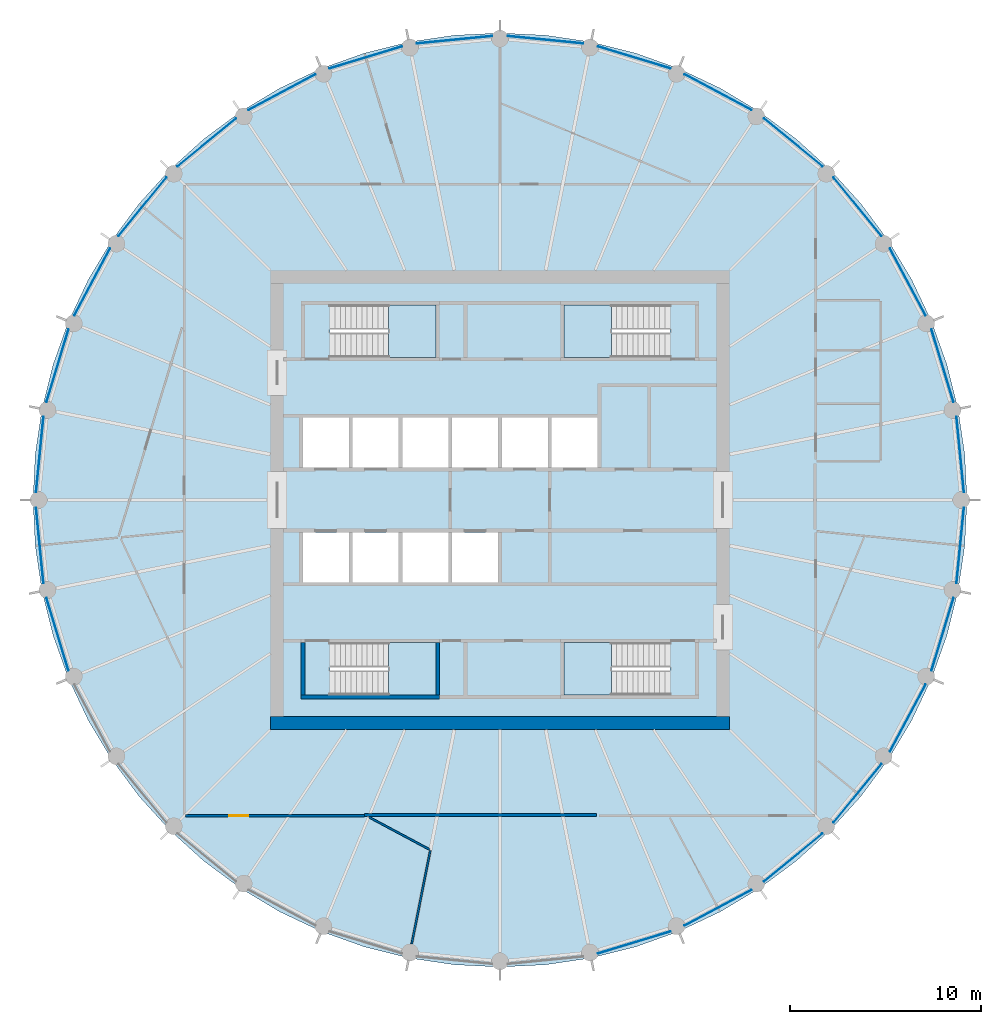
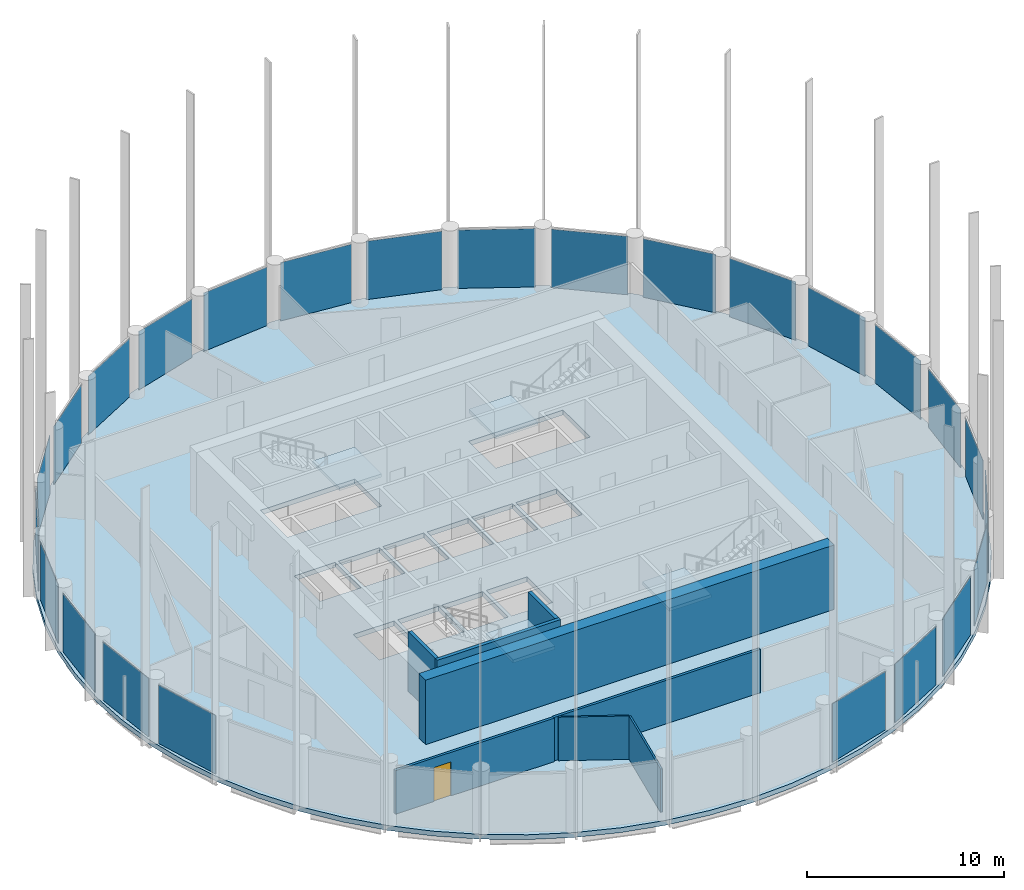
# One storey, part 3 of 7: 25 plates, 8 walls, 5 slabs, 1 door, 1 opening, 29 elements without a shape of their own.
"""IFC4 building model written with IfcOpenShell, lengths in metres."""

import ifcopenshell
import ifcopenshell.guid

model = None  # the IFC model being written
_history = None  # IfcOwnerHistory: only IFC2X3 demands one
_inside = {}  # id of a spatial element -> (the spatial element, [elements in it])
_under = {}  # id of a project, library or spatial element -> (it, [spatial elements below it])
_declared = {}  # id of a project -> (the project, [libraries it declares])
_typed = {}  # id of a type object -> (the type object, [elements of that type])
_made_of = {}  # id of a material, layer set ... -> (it, [elements and type objects made of it])


def new_model(schema):
    """Start an empty IFC model of exactly this schema.

    Asked for "IFC4X3", IfcOpenShell would pick the latest addendum, in which some entities
    have other attributes; the version numbers below select the first issue.
    IFC2X3 requires an IfcOwnerHistory on every rooted entity: one is made here for all.
    """
    global model, _history
    if schema == "IFC4X3":
        model = ifcopenshell.file(schema_version=(4, 3, 0, 0))
    else:
        model = ifcopenshell.file(schema=schema)
    _inside.clear()
    _under.clear()
    _declared.clear()
    _typed.clear()
    _made_of.clear()
    _history = None
    if model.schema == "IFC2X3":
        org = make("IfcOrganization", Name="unknown")
        user = make(
            "IfcPersonAndOrganization",
            ThePerson=make("IfcPerson", FamilyName="unknown"),
            TheOrganization=org,
        )
        app = make(
            "IfcApplication",
            ApplicationDeveloper=org,
            Version="unknown",
            ApplicationFullName="unknown",
            ApplicationIdentifier="unknown",
        )
        _history = make(
            "IfcOwnerHistory",
            OwningUser=user,
            OwningApplication=app,
            ChangeAction="ADDED",
            CreationDate=0,
        )
    return model


def make(cls, **values):
    """One entity of the class cls with the attributes given. An attribute that is None is left unset."""
    return model.create_entity(
        cls, **{name: value for name, value in values.items() if value is not None}
    )


def rooted(cls, **values):
    """An entity with a GlobalId (a new one), such as an element, a storey or a relation."""
    return make(cls, GlobalId=ifcopenshell.guid.new(), OwnerHistory=_history, **values)


def si_unit(unit_type, name, prefix=None):
    """IfcSIUnit, for example si_unit("LENGTHUNIT", "METRE", prefix="MILLI")."""
    return make("IfcSIUnit", UnitType=unit_type, Prefix=prefix, Name=name)


def assignment(units):
    """IfcUnitAssignment: the units of a project."""
    return None if units is None else make("IfcUnitAssignment", Units=units)


def point(xyz):
    """IfcCartesianPoint."""
    return None if xyz is None else make("IfcCartesianPoint", Coordinates=xyz)


def direction(xyz):
    """IfcDirection."""
    return None if xyz is None else make("IfcDirection", DirectionRatios=xyz)


def frame(location, z_axis=None, x_axis=None):
    """IfcAxis2Placement3D, a coordinate frame: its origin and axes. An axis left out is left unset."""
    return make(
        "IfcAxis2Placement3D",
        Location=point(location),
        Axis=direction(z_axis),
        RefDirection=direction(x_axis),
    )


def frame_2d(location, x_axis=None):
    """IfcAxis2Placement2D, a coordinate frame in the plane: its origin and x axis."""
    return make(
        "IfcAxis2Placement2D", Location=point(location), RefDirection=direction(x_axis)
    )


def origin():
    """The frame at (0, 0, 0) with its axes left unset."""
    return frame((0.0, 0.0, 0.0))


def origin_2d():
    """The frame at (0, 0) in the plane with its x axis left unset."""
    return frame_2d((0.0, 0.0))


def place(relative_to, where):
    """IfcLocalPlacement: puts the frame where relative to a parent placement (None: the world)."""
    return make(
        "IfcLocalPlacement", PlacementRelTo=relative_to, RelativePlacement=where
    )


def context(
    kind, dimensions, precision=None, world=None, true_north=None, identifier=None
):
    """IfcGeometricRepresentationContext, for example the 3D "Model" context."""
    return make(
        "IfcGeometricRepresentationContext",
        ContextIdentifier=identifier,
        ContextType=kind,
        CoordinateSpaceDimension=dimensions,
        Precision=precision,
        WorldCoordinateSystem=world,
        TrueNorth=true_north,
    )


def subcontext(parent, identifier, kind, view, scale=None):
    """IfcGeometricRepresentationSubContext, for example "Body" below "Model"."""
    return make(
        "IfcGeometricRepresentationSubContext",
        ContextIdentifier=identifier,
        ContextType=kind,
        ParentContext=parent,
        TargetScale=scale,
        TargetView=view,
    )


def project(units=None, contexts=None):
    """IfcProject with its units and contexts."""
    return rooted(
        "IfcProject",
        Name="project",
        RepresentationContexts=contexts,
        UnitsInContext=assignment(units),
    )


def spatial(cls, under=None, at=None, **own):
    """A site, building, storey or space (cls), placed at a placement, below another one or the project."""
    s = rooted(cls, ObjectPlacement=at, **own)
    if under is not None:
        _under.setdefault(under.id(), (under, []))[1].append(s)
    return s


def polyline(points):
    """IfcPolyline through the points."""
    return make("IfcPolyline", Points=[point(p) for p in points])


def profile(cls, at=None, kind="AREA", **sizes):
    """A parametric profile (cls). Its sizes go by their IFC names, for example OverallWidth=200.0."""
    return make(cls, ProfileType=kind, Position=at, **sizes)


def rectangle(**sizes):
    """IfcRectangleProfileDef."""
    return profile("IfcRectangleProfileDef", **sizes)


def outline(outer, holes=None, kind="AREA"):
    """IfcArbitraryClosedProfileDef: a profile drawn as a closed curve; with holes, ...WithVoids."""
    if holes is None:
        return make("IfcArbitraryClosedProfileDef", ProfileType=kind, OuterCurve=outer)
    return make(
        "IfcArbitraryProfileDefWithVoids",
        ProfileType=kind,
        OuterCurve=outer,
        InnerCurves=holes,
    )


def extrude(swept, where, along, depth):
    """IfcExtrudedAreaSolid: the profile swept, set in the frame where, extruded along a direction by depth."""
    return make(
        "IfcExtrudedAreaSolid",
        SweptArea=swept,
        Position=where,
        ExtrudedDirection=direction(along),
        Depth=depth,
    )


def shape(context_of_items, identifier, shape_type, items):
    """IfcShapeRepresentation: the items that make up one representation, for example the "Body"."""
    return make(
        "IfcShapeRepresentation",
        ContextOfItems=context_of_items,
        RepresentationIdentifier=identifier,
        RepresentationType=shape_type,
        Items=items,
    )


def material(Name=None, Category=None):
    """IfcMaterial."""
    return make("IfcMaterial", Name=Name, Category=Category)


def layer(
    of_material, thickness, ventilated=None, Name=None, Category=None, Priority=None
):
    """IfcMaterialLayer: one layer of a wall or slab, of a material (None: an air gap)."""
    return make(
        "IfcMaterialLayer",
        Material=of_material,
        LayerThickness=thickness,
        IsVentilated=ventilated,
        Name=Name,
        Category=Category,
        Priority=Priority,
    )


def layer_set(layers, Name=None):
    """IfcMaterialLayerSet."""
    return make("IfcMaterialLayerSet", MaterialLayers=layers, LayerSetName=Name)


def made_of(thing, what):
    """Note that an element or type object is made of a material, layer set ...; save() writes the relation."""
    if what is not None:
        _made_of.setdefault(what.id(), (what, []))[1].append(thing)
    return thing


def type_object(cls, material=None, **own):
    """A type object (cls), such as IfcWallType, which elements share."""
    return made_of(rooted(cls, **own), material)


def element(
    cls,
    number,
    at=None,
    inside=None,
    cuts=None,
    type_object=None,
    material=None,
    context=None,
    identifier="Body",
    shape_type=None,
    held_by="IfcProductDefinitionShape",
    body=None,
    shapes=None,
    **own,
):
    """One element of the class cls, such as IfcWall. Its Tag is "e" and its number.

    at: its placement. inside: the storey or other place that contains it. cuts: it is an
    opening in that element (IfcRelVoidsElement). A single representation is given by context,
    identifier, shape_type and body (its items); several are given by shapes. held_by: the class
    of the entity that holds the representations. save() writes the other relations.
    """
    e = rooted(cls, Tag="e%d" % number, ObjectPlacement=at, **own)
    if body is not None:
        shapes = [shape(context, identifier, shape_type, body)]
    if shapes is not None:
        e.Representation = make(held_by, Representations=shapes)
    if inside is not None:
        _inside.setdefault(inside.id(), (inside, []))[1].append(e)
    if cuts is not None:
        rooted(
            "IfcRelVoidsElement", RelatingBuildingElement=cuts, RelatedOpeningElement=e
        )
    if type_object is not None:
        _typed.setdefault(type_object.id(), (type_object, []))[1].append(e)
    return made_of(e, material)


def fill(opening, filler):
    """IfcRelFillsElement: the door or window that sits in an opening."""
    return rooted(
        "IfcRelFillsElement",
        RelatingOpeningElement=opening,
        RelatedBuildingElement=filler,
    )


def aggregate(whole, parts):
    """IfcRelAggregates: a whole, such as a stair, and the parts it consists of."""
    return rooted("IfcRelAggregates", RelatingObject=whole, RelatedObjects=parts)


def save(model, path):
    """Write the relations noted so far, then the file.

    IfcRelAggregates (storeys below a building ...), IfcRelContainedInSpatialStructure (elements
    in a storey), IfcRelDefinesByType, IfcRelAssociatesMaterial and IfcRelDeclares: one each for
    every whole, place, type object, material and project.
    """
    for whole, parts in _under.values():
        aggregate(whole, parts)
    for where, things in _inside.values():
        rooted(
            "IfcRelContainedInSpatialStructure",
            RelatedElements=things,
            RelatingStructure=where,
        )
    for kind, things in _typed.values():
        rooted("IfcRelDefinesByType", RelatedObjects=things, RelatingType=kind)
    for what, things in _made_of.values():
        rooted("IfcRelAssociatesMaterial", RelatedObjects=things, RelatingMaterial=what)
    for by, libraries in _declared.values():
        rooted("IfcRelDeclares", RelatingContext=by, RelatedDefinitions=libraries)
    model.write(path)


model = new_model("IFC4")

# Units and contexts
model_context = context("Model", 3, precision=1e-05, world=origin(), true_north=direction((0.0, 1.0)))
body_context = subcontext(model_context, "Body", "Model", "MODEL_VIEW")
ifc_project = project(units=[si_unit("LENGTHUNIT", "METRE"), si_unit("AREAUNIT", "SQUARE_METRE"), si_unit("VOLUMEUNIT", "CUBIC_METRE"), si_unit("PLANEANGLEUNIT", "RADIAN"), si_unit("MASSUNIT", "GRAM", prefix="KILO")], contexts=[model_context])

# Site, building, storey
site_placement = place(None, origin())
site = spatial("IfcSite", under=ifc_project, at=site_placement, CompositionType="ELEMENT")
building_placement = place(site_placement, origin())
building = spatial("IfcBuilding", under=site, at=building_placement, Name="Corvane Civic Tower", CompositionType="ELEMENT")
storey_placement = place(building_placement, frame((0.0, 0.0, 279.0)))
storey = spatial("IfcBuildingStorey", under=building, at=storey_placement, Name="L66", CompositionType="ELEMENT", Elevation=279.0)

# Slab
ifc_material_1 = material(Name="Concrete C40/50", Category="concrete")
ifc_layer_1 = layer(ifc_material_1, 0.300048828125)
ifc_layer_set_1 = layer_set([ifc_layer_1], Name="Concrete C40/50")
slab_type_1 = type_object("IfcSlabType", Name="FLOOR SLAB 300", PredefinedType="FLOOR", material=ifc_layer_set_1)
slab_1_placement = place(storey_placement, frame((0.0, 0.0, -0.300048828125)))
element("IfcSlab", 1, at=slab_1_placement, inside=storey, type_object=slab_type_1, Name="SLB-L66", PredefinedType="FLOOR", context=body_context, shape_type="SweptSolid", body=[
    extrude(outline(polyline([(0.0, 24.39990234375), (-2.3916015625, 24.282470703125), (-4.76025390625, 23.93115234375), (-7.0830078125, 23.349365234375), (-9.33740234375, 22.542724609375), (-11.502197265625, 21.518798828125), (-13.555908203125, 20.287841796875), (-15.479248046875, 18.861572265625), (-17.25341796875, 17.25341796875), (-18.861572265625, 15.479248046875), (-20.287841796875, 13.555908203125), (-21.518798828125, 11.502197265625), (-22.542724609375, 9.33740234375), (-23.349365234375, 7.0830078125), (-23.93115234375, 4.76025390625), (-24.282470703125, 2.3916015625), (-24.39990234375, 0.0), (-24.282470703125, -2.3916015625), (-23.93115234375, -4.76025390625), (-23.349365234375, -7.0830078125), (-22.542724609375, -9.33740234375), (-21.518798828125, -11.502197265625), (-20.287841796875, -13.555908203125), (-18.861572265625, -15.479248046875), (-17.25341796875, -17.25341796875), (-15.479248046875, -18.861572265625), (-13.555908203125, -20.287841796875), (-11.502197265625, -21.518798828125), (-9.33740234375, -22.542724609375), (-7.0830078125, -23.349365234375), (-4.76025390625, -23.93115234375), (-2.3916015625, -24.282470703125), (0.0, -24.39990234375), (2.3916015625, -24.282470703125), (4.76025390625, -23.93115234375), (7.0830078125, -23.349365234375), (9.33740234375, -22.542724609375), (11.502197265625, -21.518798828125), (13.555908203125, -20.287841796875), (15.479248046875, -18.861572265625), (17.25341796875, -17.25341796875), (18.861572265625, -15.479248046875), (20.287841796875, -13.555908203125), (21.518798828125, -11.502197265625), (22.542724609375, -9.33740234375), (23.349365234375, -7.0830078125), (23.93115234375, -4.76025390625), (24.282470703125, -2.3916015625), (24.39990234375, 0.0), (24.282470703125, 2.3916015625), (23.93115234375, 4.76025390625), (23.349365234375, 7.0830078125), (22.542724609375, 9.33740234375), (21.518798828125, 11.502197265625), (20.287841796875, 13.555908203125), (18.861572265625, 15.479248046875), (17.25341796875, 17.25341796875), (15.479248046875, 18.861572265625), (13.555908203125, 20.287841796875), (11.502197265625, 21.518798828125), (9.33740234375, 22.542724609375), (7.0830078125, 23.349365234375), (4.76025390625, 23.93115234375), (2.3916015625, 24.282470703125), (0.0, 24.39990234375)]), holes=[polyline([(-7.89990234375, 1.699951171875), (-10.300048828125, 1.699951171875), (-10.300048828125, 4.300048828125), (-7.89990234375, 4.300048828125), (-7.89990234375, 1.699951171875)]), polyline([(-5.300048828125, 1.699951171875), (-7.699951171875, 1.699951171875), (-7.699951171875, 4.300048828125), (-5.300048828125, 4.300048828125), (-5.300048828125, 1.699951171875)]), polyline([(-2.699951171875, 4.300048828125), (-2.699951171875, 1.699951171875), (-5.10009765625, 1.699951171875), (-5.10009765625, 4.300048828125), (-2.699951171875, 4.300048828125)]), polyline([(-0.10009765625, 4.300048828125), (-0.10009765625, 1.699951171875), (-2.5, 1.699951171875), (-2.5, 4.300048828125), (-0.10009765625, 4.300048828125)]), polyline([(2.5, 4.300048828125), (2.5, 1.699951171875), (0.10009765625, 1.699951171875), (0.10009765625, 4.300048828125), (2.5, 4.300048828125)]), polyline([(5.10009765625, 4.300048828125), (5.10009765625, 1.699951171875), (2.699951171875, 1.699951171875), (2.699951171875, 4.300048828125), (5.10009765625, 4.300048828125)]), polyline([(-10.300048828125, -4.300048828125), (-10.300048828125, -1.699951171875), (-7.89990234375, -1.699951171875), (-7.89990234375, -4.300048828125), (-10.300048828125, -4.300048828125)]), polyline([(-7.699951171875, -4.300048828125), (-7.699951171875, -1.699951171875), (-5.300048828125, -1.699951171875), (-5.300048828125, -4.300048828125), (-7.699951171875, -4.300048828125)]), polyline([(-2.699951171875, -1.699951171875), (-2.699951171875, -4.300048828125), (-5.10009765625, -4.300048828125), (-5.10009765625, -1.699951171875), (-2.699951171875, -1.699951171875)]), polyline([(-2.5, -4.300048828125), (-2.5, -1.699951171875), (-0.10009765625, -1.699951171875), (-0.10009765625, -4.300048828125), (-2.5, -4.300048828125)]), polyline([(8.889892578125, 10.199951171875), (8.889892578125, 7.449951171875), (3.35009765625, 7.449951171875), (3.35009765625, 10.199951171875), (8.889892578125, 10.199951171875)]), polyline([(-8.889892578125, 7.449951171875), (-8.889892578125, 10.199951171875), (-3.35009765625, 10.199951171875), (-3.35009765625, 7.449951171875), (-8.889892578125, 7.449951171875)]), polyline([(8.889892578125, -7.449951171875), (8.889892578125, -10.199951171875), (3.35009765625, -10.199951171875), (3.35009765625, -7.449951171875), (8.889892578125, -7.449951171875)]), polyline([(-8.889892578125, -10.199951171875), (-8.889892578125, -7.449951171875), (-3.35009765625, -7.449951171875), (-3.35009765625, -10.199951171875), (-8.889892578125, -10.199951171875)])]), origin(), (0.0, 0.0, 1.0), 0.300048828125),
])

# Stair, slab
ifc_material_2 = material(Name="Concrete C40/50", Category="concrete")
stair_type = type_object("IfcStairType", Name="ST-STAIR-HALFTURN", PredefinedType="HALF_TURN_STAIR", material=ifc_material_2)
stair_1_placement = place(storey_placement, origin())
stair_1 = element("IfcStair", 2, at=stair_1_placement, inside=storey, type_object=stair_type, Name="L66 Exit stair ST1", PredefinedType="HALF_TURN_STAIR")
ifc_material_3 = material(Name="Concrete C40/50", Category="concrete")
ifc_layer_2 = layer(ifc_material_3, 0.199951171875)
ifc_layer_set_2 = layer_set([ifc_layer_2], Name="Concrete C40/50")
slab_type_2 = type_object("IfcSlabType", Name="ST-LANDING-RC", PredefinedType="LANDING", material=ifc_layer_set_2)
slab_2_placement = place(storey_placement, frame((0.0, 0.0, 1.800048828125)))
slab_2 = element("IfcSlab", 3, at=slab_2_placement, type_object=slab_type_2, Name="ST1 landing 1", PredefinedType="LANDING", context=body_context, shape_type="SweptSolid", body=[
    extrude(outline(polyline([(5.820068359375, 10.199951171875), (3.35009765625, 10.199951171875), (3.35009765625, 7.449951171875), (5.820068359375, 7.449951171875), (5.820068359375, 10.199951171875)])), origin(), (0.0, 0.0, 1.0), 0.199951171875),
])
aggregate(stair_1, [slab_2])

stair_2_placement = place(storey_placement, origin())
stair_2 = element("IfcStair", 4, at=stair_2_placement, inside=storey, type_object=stair_type, Name="L66 Exit stair ST2", PredefinedType="HALF_TURN_STAIR")
slab_3_placement = place(storey_placement, frame((0.0, 0.0, 1.800048828125)))
slab_3 = element("IfcSlab", 5, at=slab_3_placement, type_object=slab_type_2, Name="ST2 landing 1", PredefinedType="LANDING", context=body_context, shape_type="SweptSolid", body=[
    extrude(outline(polyline([(5.820068359375, -7.449951171875), (3.35009765625, -7.449951171875), (3.35009765625, -10.199951171875), (5.820068359375, -10.199951171875), (5.820068359375, -7.449951171875)])), origin(), (0.0, 0.0, 1.0), 0.199951171875),
])
aggregate(stair_2, [slab_3])

stair_3_placement = place(storey_placement, origin())
stair_3 = element("IfcStair", 6, at=stair_3_placement, inside=storey, type_object=stair_type, Name="L66 Exit stair ST3", PredefinedType="HALF_TURN_STAIR")
slab_4_placement = place(storey_placement, frame((0.0, 0.0, 1.800048828125)))
slab_4 = element("IfcSlab", 7, at=slab_4_placement, type_object=slab_type_2, Name="ST3 landing 1", PredefinedType="LANDING", context=body_context, shape_type="SweptSolid", body=[
    extrude(outline(polyline([(-5.820068359375, -10.199951171875), (-3.35009765625, -10.199951171875), (-3.35009765625, -7.449951171875), (-5.820068359375, -7.449951171875), (-5.820068359375, -10.199951171875)])), origin(), (0.0, 0.0, 1.0), 0.199951171875),
])
aggregate(stair_3, [slab_4])

stair_4_placement = place(storey_placement, origin())
stair_4 = element("IfcStair", 8, at=stair_4_placement, inside=storey, type_object=stair_type, Name="L66 Exit stair ST4", PredefinedType="HALF_TURN_STAIR")
slab_5_placement = place(storey_placement, frame((0.0, 0.0, 1.800048828125)))
slab_5 = element("IfcSlab", 9, at=slab_5_placement, type_object=slab_type_2, Name="ST4 landing 1", PredefinedType="LANDING", context=body_context, shape_type="SweptSolid", body=[
    extrude(outline(polyline([(-5.820068359375, 7.449951171875), (-3.35009765625, 7.449951171875), (-3.35009765625, 10.199951171875), (-5.820068359375, 10.199951171875), (-5.820068359375, 7.449951171875)])), origin(), (0.0, 0.0, 1.0), 0.199951171875),
])
aggregate(stair_4, [slab_5])

# Curtain wall, plate
ifc_material_4 = material(Name="Anodised aluminium bronze", Category="aluminium")
curtain_wall_type = type_object("IfcCurtainWallType", Name="TOWER CW-T3 STICK CURTAIN WALL", PredefinedType="NOTDEFINED", material=ifc_material_4)
curtain_wall_1_placement = place(storey_placement, origin())
curtain_wall_1 = element("IfcCurtainWall", 10, at=curtain_wall_1_placement, inside=storey, type_object=curtain_wall_type, Name="Curtain wall CW-T3 L66 bay 01", PredefinedType="NOTDEFINED")
ifc_material_5 = material(Name="Tinted glass", Category="glass")
ifc_layer_3 = layer(ifc_material_5, 0.028076171875)
ifc_layer_set_3 = layer_set([ifc_layer_3], Name="Tinted glass")
plate_type = type_object("IfcPlateType", Name="TOWER CW-T3 PANEL IGU28", PredefinedType="CURTAIN_PANEL", material=ifc_layer_set_3)
plate_1_placement = place(storey_placement, frame((2.368408203125, 24.046875, 0.0), z_axis=(0.0, 0.0, 1.0), x_axis=(0.99518437747, -0.098020685775, 0.0)))
plate_1 = element("IfcPlate", 11, at=plate_1_placement, type_object=plate_type, Name="Glass panel CW-T3 L66 01.1", PredefinedType="CURTAIN_PANEL", context=body_context, shape_type="SweptSolid", body=[
    extrude(rectangle(XDim=3.958740234375, YDim=0.028076171875, at=origin_2d()), origin(), (0.0, 0.0, 1.0), 3.6298828125),
])
aggregate(curtain_wall_1, [plate_1])

curtain_wall_2_placement = place(storey_placement, origin())
curtain_wall_2 = element("IfcCurtainWall", 12, at=curtain_wall_2_placement, inside=storey, type_object=curtain_wall_type, Name="Curtain wall CW-T3 L66 bay 02", PredefinedType="NOTDEFINED")
plate_2_placement = place(storey_placement, frame((7.01416015625, 23.12255859375, 0.0), z_axis=(0.0, 0.0, 1.0), x_axis=(0.956943694519, -0.290273604586, 0.0)))
plate_2 = element("IfcPlate", 13, at=plate_2_placement, type_object=plate_type, Name="Glass panel CW-T3 L66 02.1", PredefinedType="CURTAIN_PANEL", context=body_context, shape_type="SweptSolid", body=[
    extrude(rectangle(XDim=3.958984375, YDim=0.028076171875, at=origin_2d()), origin(), (0.0, 0.0, 1.0), 3.6298828125),
])
aggregate(curtain_wall_2, [plate_2])

curtain_wall_3_placement = place(storey_placement, origin())
curtain_wall_3 = element("IfcCurtainWall", 14, at=curtain_wall_3_placement, inside=storey, type_object=curtain_wall_type, Name="Curtain wall CW-T3 L66 bay 03", PredefinedType="NOTDEFINED")
plate_3_placement = place(storey_placement, frame((11.390380859375, 21.31005859375, 0.0), z_axis=(0.0, 0.0, 1.0), x_axis=(0.881908138655, -0.471421292448, 0.0)))
plate_3 = element("IfcPlate", 15, at=plate_3_placement, type_object=plate_type, Name="Glass panel CW-T3 L66 03.1", PredefinedType="CURTAIN_PANEL", context=body_context, shape_type="SweptSolid", body=[
    extrude(rectangle(XDim=3.958740234375, YDim=0.028076171875, at=origin_2d()), origin(), (0.0, 0.0, 1.0), 3.6298828125),
])
aggregate(curtain_wall_3, [plate_3])

curtain_wall_4_placement = place(storey_placement, origin())
curtain_wall_4 = element("IfcCurtainWall", 16, at=curtain_wall_4_placement, inside=storey, type_object=curtain_wall_type, Name="Curtain wall CW-T3 L66 bay 04", PredefinedType="NOTDEFINED")
plate_4_placement = place(storey_placement, frame((15.328857421875, 18.67822265625, 0.0), z_axis=(0.0, 0.0, 1.0), x_axis=(0.773001130565, -0.634404643855, 0.0)))
plate_4 = element("IfcPlate", 17, at=plate_4_placement, type_object=plate_type, Name="Glass panel CW-T3 L66 04.1", PredefinedType="CURTAIN_PANEL", context=body_context, shape_type="SweptSolid", body=[
    extrude(rectangle(XDim=3.958740234375, YDim=0.028076171875, at=origin_2d()), origin(), (0.0, 0.0, 1.0), 3.6298828125),
])
aggregate(curtain_wall_4, [plate_4])

curtain_wall_5_placement = place(storey_placement, origin())
curtain_wall_5 = element("IfcCurtainWall", 18, at=curtain_wall_5_placement, inside=storey, type_object=curtain_wall_type, Name="Curtain wall CW-T3 L66 bay 05", PredefinedType="NOTDEFINED")
plate_5_placement = place(storey_placement, frame((18.67822265625, 15.328857421875, 0.0), z_axis=(0.0, 0.0, 1.0), x_axis=(0.634404643855, -0.773001130565, 0.0)))
plate_5 = element("IfcPlate", 19, at=plate_5_placement, type_object=plate_type, Name="Glass panel CW-T3 L66 05.1", PredefinedType="CURTAIN_PANEL", context=body_context, shape_type="SweptSolid", body=[
    extrude(rectangle(XDim=3.958740234375, YDim=0.028076171875, at=origin_2d()), origin(), (0.0, 0.0, 1.0), 3.6298828125),
])
aggregate(curtain_wall_5, [plate_5])

curtain_wall_6_placement = place(storey_placement, origin())
curtain_wall_6 = element("IfcCurtainWall", 20, at=curtain_wall_6_placement, inside=storey, type_object=curtain_wall_type, Name="Curtain wall CW-T3 L66 bay 06", PredefinedType="NOTDEFINED")
plate_6_placement = place(storey_placement, frame((21.31005859375, 11.390380859375, 0.0), z_axis=(0.0, 0.0, 1.0), x_axis=(0.471421292448, -0.881908138655, 0.0)))
plate_6 = element("IfcPlate", 21, at=plate_6_placement, type_object=plate_type, Name="Glass panel CW-T3 L66 06.1", PredefinedType="CURTAIN_PANEL", context=body_context, shape_type="SweptSolid", body=[
    extrude(rectangle(XDim=3.958740234375, YDim=0.028076171875, at=origin_2d()), origin(), (0.0, 0.0, 1.0), 3.6298828125),
])
aggregate(curtain_wall_6, [plate_6])

curtain_wall_7_placement = place(storey_placement, origin())
curtain_wall_7 = element("IfcCurtainWall", 22, at=curtain_wall_7_placement, inside=storey, type_object=curtain_wall_type, Name="Curtain wall CW-T3 L66 bay 07", PredefinedType="NOTDEFINED")
plate_7_placement = place(storey_placement, frame((23.12255859375, 7.01416015625, 0.0), z_axis=(0.0, 0.0, 1.0), x_axis=(0.290273604586, -0.956943694519, 0.0)))
plate_7 = element("IfcPlate", 23, at=plate_7_placement, type_object=plate_type, Name="Glass panel CW-T3 L66 07.1", PredefinedType="CURTAIN_PANEL", context=body_context, shape_type="SweptSolid", body=[
    extrude(rectangle(XDim=3.958984375, YDim=0.028076171875, at=origin_2d()), origin(), (0.0, 0.0, 1.0), 3.6298828125),
])
aggregate(curtain_wall_7, [plate_7])

curtain_wall_8_placement = place(storey_placement, origin())
curtain_wall_8 = element("IfcCurtainWall", 24, at=curtain_wall_8_placement, inside=storey, type_object=curtain_wall_type, Name="Curtain wall CW-T3 L66 bay 08", PredefinedType="NOTDEFINED")
plate_8_placement = place(storey_placement, frame((24.046875, 2.368408203125, 0.0), z_axis=(0.0, 0.0, 1.0), x_axis=(0.098020685775, -0.99518437747, 0.0)))
plate_8 = element("IfcPlate", 25, at=plate_8_placement, type_object=plate_type, Name="Glass panel CW-T3 L66 08.1", PredefinedType="CURTAIN_PANEL", context=body_context, shape_type="SweptSolid", body=[
    extrude(rectangle(XDim=3.958740234375, YDim=0.028076171875, at=origin_2d()), origin(), (0.0, 0.0, 1.0), 3.6298828125),
])
aggregate(curtain_wall_8, [plate_8])

curtain_wall_9_placement = place(storey_placement, origin())
curtain_wall_9 = element("IfcCurtainWall", 26, at=curtain_wall_9_placement, inside=storey, type_object=curtain_wall_type, Name="Curtain wall CW-T3 L66 bay 09", PredefinedType="NOTDEFINED")
plate_9_placement = place(storey_placement, frame((24.046875, -2.368408203125, 0.0), z_axis=(0.0, 0.0, 1.0), x_axis=(-0.098020685775, -0.99518437747, 0.0)))
plate_9 = element("IfcPlate", 27, at=plate_9_placement, type_object=plate_type, Name="Glass panel CW-T3 L66 09.1", PredefinedType="CURTAIN_PANEL", context=body_context, shape_type="SweptSolid", body=[
    extrude(rectangle(XDim=3.958740234375, YDim=0.028076171875, at=origin_2d()), origin(), (0.0, 0.0, 1.0), 3.6298828125),
])
aggregate(curtain_wall_9, [plate_9])

curtain_wall_10_placement = place(storey_placement, origin())
curtain_wall_10 = element("IfcCurtainWall", 28, at=curtain_wall_10_placement, inside=storey, type_object=curtain_wall_type, Name="Curtain wall CW-T3 L66 bay 10", PredefinedType="NOTDEFINED")
plate_10_placement = place(storey_placement, frame((23.12255859375, -7.01416015625, 0.0), z_axis=(0.0, 0.0, 1.0), x_axis=(-0.290273604586, -0.956943694519, 0.0)))
plate_10 = element("IfcPlate", 29, at=plate_10_placement, type_object=plate_type, Name="Glass panel CW-T3 L66 10.1", PredefinedType="CURTAIN_PANEL", context=body_context, shape_type="SweptSolid", body=[
    extrude(rectangle(XDim=3.958984375, YDim=0.028076171875, at=origin_2d()), origin(), (0.0, 0.0, 1.0), 3.6298828125),
])
aggregate(curtain_wall_10, [plate_10])

curtain_wall_11_placement = place(storey_placement, origin())
curtain_wall_11 = element("IfcCurtainWall", 30, at=curtain_wall_11_placement, inside=storey, type_object=curtain_wall_type, Name="Curtain wall CW-T3 L66 bay 11", PredefinedType="NOTDEFINED")
plate_11_placement = place(storey_placement, frame((21.31005859375, -11.390380859375, 0.0), z_axis=(0.0, 0.0, 1.0), x_axis=(-0.471421292448, -0.881908138655, 0.0)))
plate_11 = element("IfcPlate", 31, at=plate_11_placement, type_object=plate_type, Name="Glass panel CW-T3 L66 11.1", PredefinedType="CURTAIN_PANEL", context=body_context, shape_type="SweptSolid", body=[
    extrude(rectangle(XDim=3.958740234375, YDim=0.028076171875, at=origin_2d()), origin(), (0.0, 0.0, 1.0), 3.6298828125),
])
aggregate(curtain_wall_11, [plate_11])

curtain_wall_12_placement = place(storey_placement, origin())
curtain_wall_12 = element("IfcCurtainWall", 32, at=curtain_wall_12_placement, inside=storey, type_object=curtain_wall_type, Name="Curtain wall CW-T3 L66 bay 12", PredefinedType="NOTDEFINED")
plate_12_placement = place(storey_placement, frame((18.67822265625, -15.328857421875, 0.0), z_axis=(0.0, 0.0, 1.0), x_axis=(-0.634404643855, -0.773001130565, 0.0)))
plate_12 = element("IfcPlate", 33, at=plate_12_placement, type_object=plate_type, Name="Glass panel CW-T3 L66 12.1", PredefinedType="CURTAIN_PANEL", context=body_context, shape_type="SweptSolid", body=[
    extrude(rectangle(XDim=3.958740234375, YDim=0.028076171875, at=origin_2d()), origin(), (0.0, 0.0, 1.0), 3.6298828125),
])
aggregate(curtain_wall_12, [plate_12])

curtain_wall_13_placement = place(storey_placement, origin())
curtain_wall_13 = element("IfcCurtainWall", 34, at=curtain_wall_13_placement, inside=storey, type_object=curtain_wall_type, Name="Curtain wall CW-T3 L66 bay 13", PredefinedType="NOTDEFINED")
plate_13_placement = place(storey_placement, frame((15.328857421875, -18.67822265625, 0.0), z_axis=(0.0, 0.0, 1.0), x_axis=(-0.773001130565, -0.634404643855, 0.0)))
plate_13 = element("IfcPlate", 35, at=plate_13_placement, type_object=plate_type, Name="Glass panel CW-T3 L66 13.1", PredefinedType="CURTAIN_PANEL", context=body_context, shape_type="SweptSolid", body=[
    extrude(rectangle(XDim=3.958740234375, YDim=0.028076171875, at=origin_2d()), origin(), (0.0, 0.0, 1.0), 3.6298828125),
])
aggregate(curtain_wall_13, [plate_13])

curtain_wall_14_placement = place(storey_placement, origin())
curtain_wall_14 = element("IfcCurtainWall", 36, at=curtain_wall_14_placement, inside=storey, type_object=curtain_wall_type, Name="Curtain wall CW-T3 L66 bay 14", PredefinedType="NOTDEFINED")
plate_14_placement = place(storey_placement, frame((11.390380859375, -21.31005859375, 0.0), z_axis=(0.0, 0.0, 1.0), x_axis=(-0.881908138655, -0.471421292448, 0.0)))
plate_14 = element("IfcPlate", 37, at=plate_14_placement, type_object=plate_type, Name="Glass panel CW-T3 L66 14.1", PredefinedType="CURTAIN_PANEL", context=body_context, shape_type="SweptSolid", body=[
    extrude(rectangle(XDim=3.958740234375, YDim=0.028076171875, at=origin_2d()), origin(), (0.0, 0.0, 1.0), 3.6298828125),
])
aggregate(curtain_wall_14, [plate_14])

curtain_wall_15_placement = place(storey_placement, origin())
curtain_wall_15 = element("IfcCurtainWall", 38, at=curtain_wall_15_placement, inside=storey, type_object=curtain_wall_type, Name="Curtain wall CW-T3 L66 bay 15", PredefinedType="NOTDEFINED")
plate_15_placement = place(storey_placement, frame((7.01416015625, -23.12255859375, 0.0), z_axis=(0.0, 0.0, 1.0), x_axis=(-0.956943694519, -0.290273604586, 0.0)))
plate_15 = element("IfcPlate", 39, at=plate_15_placement, type_object=plate_type, Name="Glass panel CW-T3 L66 15.1", PredefinedType="CURTAIN_PANEL", context=body_context, shape_type="SweptSolid", body=[
    extrude(rectangle(XDim=3.958984375, YDim=0.028076171875, at=origin_2d()), origin(), (0.0, 0.0, 1.0), 3.6298828125),
])
aggregate(curtain_wall_15, [plate_15])

curtain_wall_16_placement = place(storey_placement, origin())
curtain_wall_16 = element("IfcCurtainWall", 40, at=curtain_wall_16_placement, inside=storey, type_object=curtain_wall_type, Name="Curtain wall CW-T3 L66 bay 23", PredefinedType="NOTDEFINED")
plate_16_placement = place(storey_placement, frame((-23.12255859375, -7.01416015625, 0.0), z_axis=(0.0, 0.0, 1.0), x_axis=(-0.290273604586, 0.956943694519, 0.0)))
plate_16 = element("IfcPlate", 41, at=plate_16_placement, type_object=plate_type, Name="Glass panel CW-T3 L66 23.1", PredefinedType="CURTAIN_PANEL", context=body_context, shape_type="SweptSolid", body=[
    extrude(rectangle(XDim=3.958984375, YDim=0.028076171875, at=origin_2d()), origin(), (0.0, 0.0, 1.0), 3.6298828125),
])
aggregate(curtain_wall_16, [plate_16])

curtain_wall_17_placement = place(storey_placement, origin())
curtain_wall_17 = element("IfcCurtainWall", 42, at=curtain_wall_17_placement, inside=storey, type_object=curtain_wall_type, Name="Curtain wall CW-T3 L66 bay 24", PredefinedType="NOTDEFINED")
plate_17_placement = place(storey_placement, frame((-24.046875, -2.368408203125, 0.0), z_axis=(0.0, 0.0, 1.0), x_axis=(-0.098020685775, 0.99518437747, 0.0)))
plate_17 = element("IfcPlate", 43, at=plate_17_placement, type_object=plate_type, Name="Glass panel CW-T3 L66 24.1", PredefinedType="CURTAIN_PANEL", context=body_context, shape_type="SweptSolid", body=[
    extrude(rectangle(XDim=3.958740234375, YDim=0.028076171875, at=origin_2d()), origin(), (0.0, 0.0, 1.0), 3.6298828125),
])
aggregate(curtain_wall_17, [plate_17])

curtain_wall_18_placement = place(storey_placement, origin())
curtain_wall_18 = element("IfcCurtainWall", 44, at=curtain_wall_18_placement, inside=storey, type_object=curtain_wall_type, Name="Curtain wall CW-T3 L66 bay 25", PredefinedType="NOTDEFINED")
plate_18_placement = place(storey_placement, frame((-24.046875, 2.368408203125, 0.0), z_axis=(0.0, 0.0, 1.0), x_axis=(0.098020685775, 0.99518437747, 0.0)))
plate_18 = element("IfcPlate", 45, at=plate_18_placement, type_object=plate_type, Name="Glass panel CW-T3 L66 25.1", PredefinedType="CURTAIN_PANEL", context=body_context, shape_type="SweptSolid", body=[
    extrude(rectangle(XDim=3.958740234375, YDim=0.028076171875, at=origin_2d()), origin(), (0.0, 0.0, 1.0), 3.6298828125),
])
aggregate(curtain_wall_18, [plate_18])

curtain_wall_19_placement = place(storey_placement, origin())
curtain_wall_19 = element("IfcCurtainWall", 46, at=curtain_wall_19_placement, inside=storey, type_object=curtain_wall_type, Name="Curtain wall CW-T3 L66 bay 26", PredefinedType="NOTDEFINED")
plate_19_placement = place(storey_placement, frame((-23.12255859375, 7.01416015625, 0.0), z_axis=(0.0, 0.0, 1.0), x_axis=(0.290273604586, 0.956943694519, 0.0)))
plate_19 = element("IfcPlate", 47, at=plate_19_placement, type_object=plate_type, Name="Glass panel CW-T3 L66 26.1", PredefinedType="CURTAIN_PANEL", context=body_context, shape_type="SweptSolid", body=[
    extrude(rectangle(XDim=3.958984375, YDim=0.028076171875, at=origin_2d()), origin(), (0.0, 0.0, 1.0), 3.6298828125),
])
aggregate(curtain_wall_19, [plate_19])

curtain_wall_20_placement = place(storey_placement, origin())
curtain_wall_20 = element("IfcCurtainWall", 48, at=curtain_wall_20_placement, inside=storey, type_object=curtain_wall_type, Name="Curtain wall CW-T3 L66 bay 27", PredefinedType="NOTDEFINED")
plate_20_placement = place(storey_placement, frame((-21.31005859375, 11.390380859375, 0.0), z_axis=(0.0, 0.0, 1.0), x_axis=(0.471421292448, 0.881908138655, 0.0)))
plate_20 = element("IfcPlate", 49, at=plate_20_placement, type_object=plate_type, Name="Glass panel CW-T3 L66 27.1", PredefinedType="CURTAIN_PANEL", context=body_context, shape_type="SweptSolid", body=[
    extrude(rectangle(XDim=3.958740234375, YDim=0.028076171875, at=origin_2d()), origin(), (0.0, 0.0, 1.0), 3.6298828125),
])
aggregate(curtain_wall_20, [plate_20])

curtain_wall_21_placement = place(storey_placement, origin())
curtain_wall_21 = element("IfcCurtainWall", 50, at=curtain_wall_21_placement, inside=storey, type_object=curtain_wall_type, Name="Curtain wall CW-T3 L66 bay 28", PredefinedType="NOTDEFINED")
plate_21_placement = place(storey_placement, frame((-18.67822265625, 15.328857421875, 0.0), z_axis=(0.0, 0.0, 1.0), x_axis=(0.634404643855, 0.773001130565, 0.0)))
plate_21 = element("IfcPlate", 51, at=plate_21_placement, type_object=plate_type, Name="Glass panel CW-T3 L66 28.1", PredefinedType="CURTAIN_PANEL", context=body_context, shape_type="SweptSolid", body=[
    extrude(rectangle(XDim=3.958740234375, YDim=0.028076171875, at=origin_2d()), origin(), (0.0, 0.0, 1.0), 3.6298828125),
])
aggregate(curtain_wall_21, [plate_21])

curtain_wall_22_placement = place(storey_placement, origin())
curtain_wall_22 = element("IfcCurtainWall", 52, at=curtain_wall_22_placement, inside=storey, type_object=curtain_wall_type, Name="Curtain wall CW-T3 L66 bay 29", PredefinedType="NOTDEFINED")
plate_22_placement = place(storey_placement, frame((-15.328857421875, 18.67822265625, 0.0), z_axis=(0.0, 0.0, 1.0), x_axis=(0.773001130565, 0.634404643855, 0.0)))
plate_22 = element("IfcPlate", 53, at=plate_22_placement, type_object=plate_type, Name="Glass panel CW-T3 L66 29.1", PredefinedType="CURTAIN_PANEL", context=body_context, shape_type="SweptSolid", body=[
    extrude(rectangle(XDim=3.958740234375, YDim=0.028076171875, at=origin_2d()), origin(), (0.0, 0.0, 1.0), 3.6298828125),
])
aggregate(curtain_wall_22, [plate_22])

curtain_wall_23_placement = place(storey_placement, origin())
curtain_wall_23 = element("IfcCurtainWall", 54, at=curtain_wall_23_placement, inside=storey, type_object=curtain_wall_type, Name="Curtain wall CW-T3 L66 bay 30", PredefinedType="NOTDEFINED")
plate_23_placement = place(storey_placement, frame((-11.390380859375, 21.31005859375, 0.0), z_axis=(0.0, 0.0, 1.0), x_axis=(0.881908138655, 0.471421292448, 0.0)))
plate_23 = element("IfcPlate", 55, at=plate_23_placement, type_object=plate_type, Name="Glass panel CW-T3 L66 30.1", PredefinedType="CURTAIN_PANEL", context=body_context, shape_type="SweptSolid", body=[
    extrude(rectangle(XDim=3.958740234375, YDim=0.028076171875, at=origin_2d()), origin(), (0.0, 0.0, 1.0), 3.6298828125),
])
aggregate(curtain_wall_23, [plate_23])

curtain_wall_24_placement = place(storey_placement, origin())
curtain_wall_24 = element("IfcCurtainWall", 56, at=curtain_wall_24_placement, inside=storey, type_object=curtain_wall_type, Name="Curtain wall CW-T3 L66 bay 31", PredefinedType="NOTDEFINED")
plate_24_placement = place(storey_placement, frame((-7.01416015625, 23.12255859375, 0.0), z_axis=(0.0, 0.0, 1.0), x_axis=(0.956943694519, 0.290273604586, 0.0)))
plate_24 = element("IfcPlate", 57, at=plate_24_placement, type_object=plate_type, Name="Glass panel CW-T3 L66 31.1", PredefinedType="CURTAIN_PANEL", context=body_context, shape_type="SweptSolid", body=[
    extrude(rectangle(XDim=3.958984375, YDim=0.028076171875, at=origin_2d()), origin(), (0.0, 0.0, 1.0), 3.6298828125),
])
aggregate(curtain_wall_24, [plate_24])

curtain_wall_25_placement = place(storey_placement, origin())
curtain_wall_25 = element("IfcCurtainWall", 58, at=curtain_wall_25_placement, inside=storey, type_object=curtain_wall_type, Name="Curtain wall CW-T3 L66 bay 32", PredefinedType="NOTDEFINED")
plate_25_placement = place(storey_placement, frame((-2.368408203125, 24.046875, 0.0), z_axis=(0.0, 0.0, 1.0), x_axis=(0.99518437747, 0.098020685775, 0.0)))
plate_25 = element("IfcPlate", 59, at=plate_25_placement, type_object=plate_type, Name="Glass panel CW-T3 L66 32.1", PredefinedType="CURTAIN_PANEL", context=body_context, shape_type="SweptSolid", body=[
    extrude(rectangle(XDim=3.958740234375, YDim=0.028076171875, at=origin_2d()), origin(), (0.0, 0.0, 1.0), 3.6298828125),
])
aggregate(curtain_wall_25, [plate_25])

# Walls
ifc_material_6 = material(Name="Concrete C40/50", Category="concrete")
ifc_layer_4 = layer(ifc_material_6, 0.699951171875)
ifc_layer_set_4 = layer_set([ifc_layer_4], Name="Concrete C40/50")
wall_type_1 = type_object("IfcWallType", Name="CORE WALL 700 C40/50", PredefinedType="SHEAR", material=ifc_layer_set_4)
wall_1_placement = place(storey_placement, frame((-12.0, -11.64990234375, 0.0), z_axis=(0.0, 0.0, 1.0), x_axis=(1.0, 0.0, 0.0)))
element("IfcWall", 60, at=wall_1_placement, inside=storey, type_object=wall_type_1, Name="W-L66-core-S", PredefinedType="SHEAR", context=body_context, shape_type="SweptSolid", body=[
    extrude(rectangle(XDim=24.0, YDim=0.699951171875, at=frame_2d((12.0, 0.0))), origin(), (0.0, 0.0, 1.0), 4.0),
])
ifc_material_7 = material(Name="Plasterboard")
ifc_layer_5 = layer(ifc_material_7, 0.10009765625)
ifc_layer_set_5 = layer_set([ifc_layer_5], Name="Plasterboard")
wall_type_2 = type_object("IfcWallType", Name="Partition 100 plasterboard on studs", PredefinedType="PARTITIONING", material=ifc_layer_set_5)
wall_2_placement = place(storey_placement, frame((-4.61181640625, -23.185791015625, 0.0), z_axis=(0.0, 0.0, 1.0), x_axis=(0.195084165783, 0.980786504934, 0.0)))
element("IfcWall", 61, at=wall_2_placement, inside=storey, type_object=wall_type_2, Name="Partition L66.001", PredefinedType="PARTITIONING", context=body_context, shape_type="SweptSolid", body=[
    extrude(rectangle(XDim=4.95947265625, YDim=0.10009765625, at=frame_2d((2.479736328125, 0.0))), origin(), (0.0, 0.0, 1.0), 2.699951171875),
])
wall_3_placement = place(storey_placement, frame((-6.84765625, -16.569091796875, 0.0), z_axis=(0.0, 0.0, 1.0), x_axis=(0.881926812046, -0.471386357668, 0.0)))
element("IfcWall", 62, at=wall_3_placement, inside=storey, type_object=wall_type_2, Name="Partition L66.003", PredefinedType="PARTITIONING", context=body_context, shape_type="SweptSolid", body=[
    extrude(rectangle(XDim=3.603271484375, YDim=0.10009765625, at=frame_2d((1.8017578125, 0.0))), origin(), (0.0, 0.0, 1.0), 2.699951171875),
])
ifc_material_8 = material(Name="Concrete C50/60", Category="concrete")
ifc_layer_6 = layer(ifc_material_8, 0.199951171875)
ifc_layer_set_6 = layer_set([ifc_layer_6], Name="Concrete C50/60")
wall_type_3 = type_object("IfcWallType", Name="ST-WALL-200", PredefinedType="SHEAR", material=ifc_layer_set_6)
wall_4_placement = place(storey_placement, origin())
element("IfcWall", 63, at=wall_4_placement, inside=storey, type_object=wall_type_3, Name="L66 stair enclosure wall", PredefinedType="SHEAR", context=body_context, shape_type="SweptSolid", body=[
    extrude(outline(polyline([(-3.14990234375, -10.199951171875), (-3.14990234375, -10.39990234375), (-10.39990234375, -10.39990234375), (-10.39990234375, -10.199951171875), (-3.14990234375, -10.199951171875)])), origin(), (0.0, 0.0, 1.0), 3.699951171875),
])
wall_5_placement = place(storey_placement, origin())
element("IfcWall", 64, at=wall_5_placement, inside=storey, type_object=wall_type_3, Name="L66 stair enclosure wall", PredefinedType="SHEAR", context=body_context, shape_type="SweptSolid", body=[
    extrude(outline(polyline([(-3.14990234375, -7.449951171875), (-3.14990234375, -10.199951171875), (-3.35009765625, -10.199951171875), (-3.35009765625, -7.449951171875), (-3.14990234375, -7.449951171875)])), origin(), (0.0, 0.0, 1.0), 3.699951171875),
])
wall_6_placement = place(storey_placement, origin())
element("IfcWall", 65, at=wall_6_placement, inside=storey, type_object=wall_type_3, Name="L66 stair enclosure wall", PredefinedType="SHEAR", context=body_context, shape_type="SweptSolid", body=[
    extrude(outline(polyline([(-10.199951171875, -7.449951171875), (-10.199951171875, -10.199951171875), (-10.39990234375, -10.199951171875), (-10.39990234375, -7.449951171875), (-10.199951171875, -7.449951171875)])), origin(), (0.0, 0.0, 1.0), 3.699951171875),
])

# Wall, opening, door
ifc_material_9 = material(Name="Plasterboard")
ifc_layer_7 = layer(ifc_material_9, 0.14990234375)
ifc_layer_set_7 = layer_set([ifc_layer_7], Name="Plasterboard")
wall_type_4 = type_object("IfcWallType", Name="Tenancy wall 150 EI 60", PredefinedType="PARTITIONING", material=ifc_layer_set_7)
wall_7_placement = place(storey_placement, frame((-16.425048828125, -16.5, 0.0), z_axis=(0.0, 0.0, 1.0), x_axis=(1.0, 0.0, 0.0)))
wall_7 = element("IfcWall", 66, at=wall_7_placement, inside=storey, type_object=wall_type_4, Name="Partition L66.004", PredefinedType="PARTITIONING", context=body_context, shape_type="SweptSolid", body=[
    extrude(rectangle(XDim=9.3544921875, YDim=0.14990234375, at=frame_2d((4.67724609375, 0.0))), origin(), (0.0, 0.0, 1.0), 2.699951171875),
])
opening_placement = place(wall_7_placement, frame((2.274658203125, 0.0, 0.0)))
opening = element("IfcOpeningElement", 67, at=opening_placement, cuts=wall_7, Name="Opening L66.009", PredefinedType="OPENING", context=body_context, shape_type="SweptSolid", body=[
    extrude(rectangle(XDim=1.0, YDim=2.10009765625, at=frame_2d((0.5, 1.050048828125))), frame((0.0, 0.0849609375, 0.0), z_axis=(0.0, -1.0, 0.0), x_axis=(1.0, 0.0, 0.0)), (0.0, 0.0, 1.0), 0.169921875),
])
ifc_material_10 = material(Name="Steel and timber", Category="steel")
door_type = type_object("IfcDoorType", Name="Fire door FD30S 1000", OperationType="NOTDEFINED", PredefinedType="DOOR", material=ifc_material_10)
door_placement = place(opening_placement, frame((1.0, 0.0, 0.0), z_axis=(0.0, 0.0, 1.0), x_axis=(-1.0, 0.0, 0.0)))
door = element("IfcDoor", 68, at=door_placement, inside=storey, type_object=door_type, Name="Door L66.009", OperationType="SINGLE_SWING_LEFT", OverallHeight=2.10009765625, OverallWidth=1.0, PredefinedType="DOOR", context=body_context, shape_type="SweptSolid", body=[
    extrude(rectangle(XDim=1.0, YDim=2.10009765625, at=frame_2d((0.5, 1.050048828125))), frame((0.0, 0.02490234375, 0.0), z_axis=(0.0, -1.0, 0.0), x_axis=(1.0, 0.0, 0.0)), (0.0, 0.0, 1.0), 0.050048828125),
])
fill(opening, door)

# Wall
wall_8_placement = place(storey_placement, frame((-7.070556640625, -16.449951171875, 0.0), z_axis=(0.0, 0.0, 1.0), x_axis=(1.0, 0.0, 0.0)))
element("IfcWall", 69, at=wall_8_placement, inside=storey, type_object=wall_type_4, Name="Partition L66.006", PredefinedType="PARTITIONING", context=body_context, shape_type="SweptSolid", body=[
    extrude(rectangle(XDim=12.119140625, YDim=0.14990234375, at=frame_2d((6.0595703125, 0.0))), origin(), (0.0, 0.0, 1.0), 2.699951171875),
])

save(model, "model.ifc")
